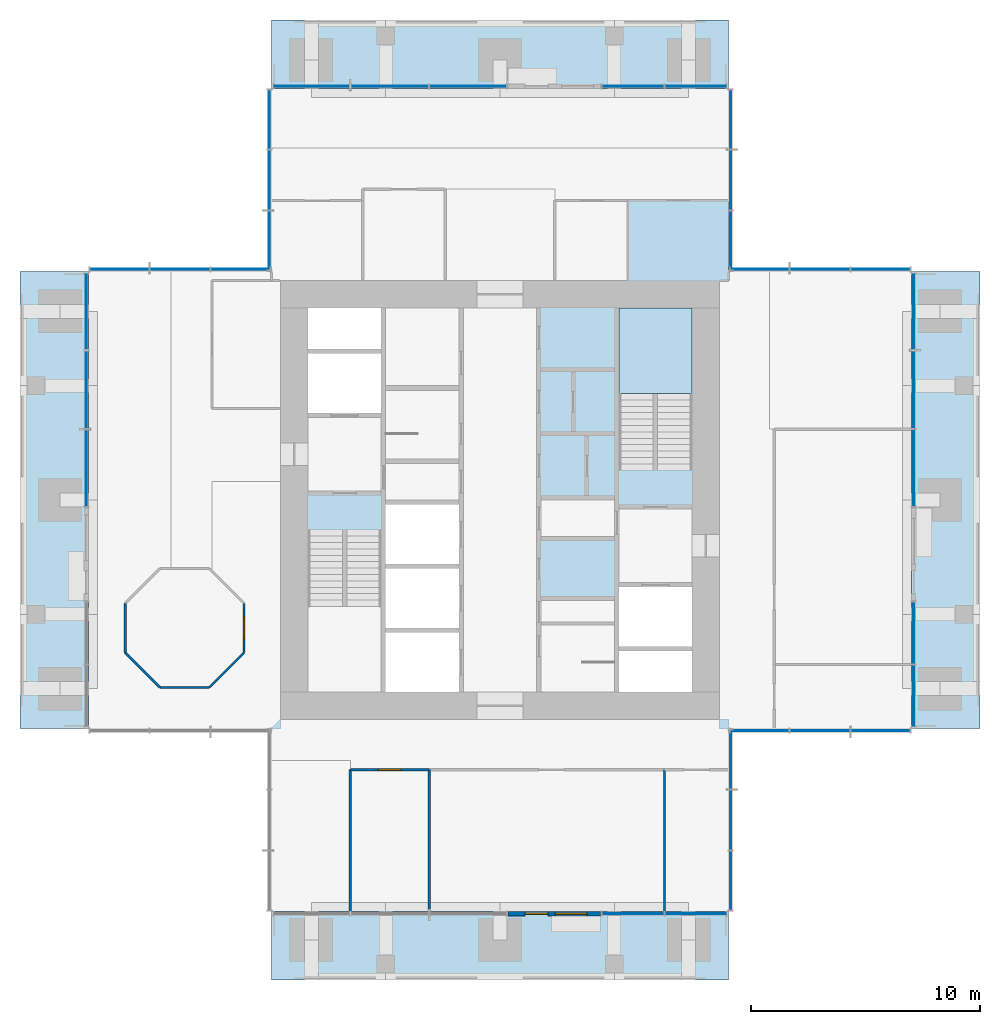
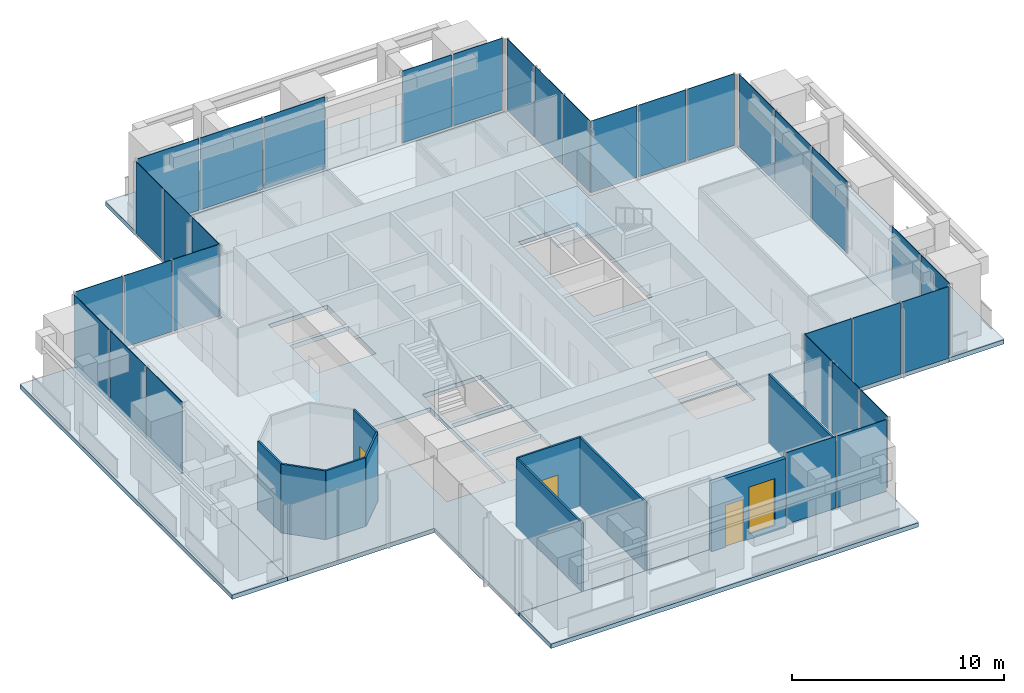
# One storey, part 6 of 12: 33 plates, 10 walls, 6 slabs, 3 doors, 1 window, 4 openings, 13 elements without a shape of their own.
"""IFC4 building model written with IfcOpenShell, lengths in metres."""

import ifcopenshell
import ifcopenshell.guid

model = None  # the IFC model being written
_history = None  # IfcOwnerHistory: only IFC2X3 demands one
_inside = {}  # id of a spatial element -> (the spatial element, [elements in it])
_under = {}  # id of a project, library or spatial element -> (it, [spatial elements below it])
_declared = {}  # id of a project -> (the project, [libraries it declares])
_typed = {}  # id of a type object -> (the type object, [elements of that type])
_made_of = {}  # id of a material, layer set ... -> (it, [elements and type objects made of it])


def new_model(schema):
    """Start an empty IFC model of exactly this schema.

    Asked for "IFC4X3", IfcOpenShell would pick the latest addendum, in which some entities
    have other attributes; the version numbers below select the first issue.
    IFC2X3 requires an IfcOwnerHistory on every rooted entity: one is made here for all.
    """
    global model, _history
    if schema == "IFC4X3":
        model = ifcopenshell.file(schema_version=(4, 3, 0, 0))
    else:
        model = ifcopenshell.file(schema=schema)
    _inside.clear()
    _under.clear()
    _declared.clear()
    _typed.clear()
    _made_of.clear()
    _history = None
    if model.schema == "IFC2X3":
        org = make("IfcOrganization", Name="unknown")
        user = make(
            "IfcPersonAndOrganization",
            ThePerson=make("IfcPerson", FamilyName="unknown"),
            TheOrganization=org,
        )
        app = make(
            "IfcApplication",
            ApplicationDeveloper=org,
            Version="unknown",
            ApplicationFullName="unknown",
            ApplicationIdentifier="unknown",
        )
        _history = make(
            "IfcOwnerHistory",
            OwningUser=user,
            OwningApplication=app,
            ChangeAction="ADDED",
            CreationDate=0,
        )
    return model


def make(cls, **values):
    """One entity of the class cls with the attributes given. An attribute that is None is left unset."""
    return model.create_entity(
        cls, **{name: value for name, value in values.items() if value is not None}
    )


def rooted(cls, **values):
    """An entity with a GlobalId (a new one), such as an element, a storey or a relation."""
    return make(cls, GlobalId=ifcopenshell.guid.new(), OwnerHistory=_history, **values)


def si_unit(unit_type, name, prefix=None):
    """IfcSIUnit, for example si_unit("LENGTHUNIT", "METRE", prefix="MILLI")."""
    return make("IfcSIUnit", UnitType=unit_type, Prefix=prefix, Name=name)


def assignment(units):
    """IfcUnitAssignment: the units of a project."""
    return None if units is None else make("IfcUnitAssignment", Units=units)


def point(xyz):
    """IfcCartesianPoint."""
    return None if xyz is None else make("IfcCartesianPoint", Coordinates=xyz)


def direction(xyz):
    """IfcDirection."""
    return None if xyz is None else make("IfcDirection", DirectionRatios=xyz)


def frame(location, z_axis=None, x_axis=None):
    """IfcAxis2Placement3D, a coordinate frame: its origin and axes. An axis left out is left unset."""
    return make(
        "IfcAxis2Placement3D",
        Location=point(location),
        Axis=direction(z_axis),
        RefDirection=direction(x_axis),
    )


def frame_2d(location, x_axis=None):
    """IfcAxis2Placement2D, a coordinate frame in the plane: its origin and x axis."""
    return make(
        "IfcAxis2Placement2D", Location=point(location), RefDirection=direction(x_axis)
    )


def origin():
    """The frame at (0, 0, 0) with its axes left unset."""
    return frame((0.0, 0.0, 0.0))


def origin_2d():
    """The frame at (0, 0) in the plane with its x axis left unset."""
    return frame_2d((0.0, 0.0))


def place(relative_to, where):
    """IfcLocalPlacement: puts the frame where relative to a parent placement (None: the world)."""
    return make(
        "IfcLocalPlacement", PlacementRelTo=relative_to, RelativePlacement=where
    )


def context(
    kind, dimensions, precision=None, world=None, true_north=None, identifier=None
):
    """IfcGeometricRepresentationContext, for example the 3D "Model" context."""
    return make(
        "IfcGeometricRepresentationContext",
        ContextIdentifier=identifier,
        ContextType=kind,
        CoordinateSpaceDimension=dimensions,
        Precision=precision,
        WorldCoordinateSystem=world,
        TrueNorth=true_north,
    )


def subcontext(parent, identifier, kind, view, scale=None):
    """IfcGeometricRepresentationSubContext, for example "Body" below "Model"."""
    return make(
        "IfcGeometricRepresentationSubContext",
        ContextIdentifier=identifier,
        ContextType=kind,
        ParentContext=parent,
        TargetScale=scale,
        TargetView=view,
    )


def project(units=None, contexts=None):
    """IfcProject with its units and contexts."""
    return rooted(
        "IfcProject",
        Name="project",
        RepresentationContexts=contexts,
        UnitsInContext=assignment(units),
    )


def spatial(cls, under=None, at=None, **own):
    """A site, building, storey or space (cls), placed at a placement, below another one or the project."""
    s = rooted(cls, ObjectPlacement=at, **own)
    if under is not None:
        _under.setdefault(under.id(), (under, []))[1].append(s)
    return s


def polyline(points):
    """IfcPolyline through the points."""
    return make("IfcPolyline", Points=[point(p) for p in points])


def profile(cls, at=None, kind="AREA", **sizes):
    """A parametric profile (cls). Its sizes go by their IFC names, for example OverallWidth=200.0."""
    return make(cls, ProfileType=kind, Position=at, **sizes)


def rectangle(**sizes):
    """IfcRectangleProfileDef."""
    return profile("IfcRectangleProfileDef", **sizes)


def outline(outer, holes=None, kind="AREA"):
    """IfcArbitraryClosedProfileDef: a profile drawn as a closed curve; with holes, ...WithVoids."""
    if holes is None:
        return make("IfcArbitraryClosedProfileDef", ProfileType=kind, OuterCurve=outer)
    return make(
        "IfcArbitraryProfileDefWithVoids",
        ProfileType=kind,
        OuterCurve=outer,
        InnerCurves=holes,
    )


def extrude(swept, where, along, depth):
    """IfcExtrudedAreaSolid: the profile swept, set in the frame where, extruded along a direction by depth."""
    return make(
        "IfcExtrudedAreaSolid",
        SweptArea=swept,
        Position=where,
        ExtrudedDirection=direction(along),
        Depth=depth,
    )


def shape(context_of_items, identifier, shape_type, items):
    """IfcShapeRepresentation: the items that make up one representation, for example the "Body"."""
    return make(
        "IfcShapeRepresentation",
        ContextOfItems=context_of_items,
        RepresentationIdentifier=identifier,
        RepresentationType=shape_type,
        Items=items,
    )


def material(Name=None, Category=None):
    """IfcMaterial."""
    return make("IfcMaterial", Name=Name, Category=Category)


def layer(
    of_material, thickness, ventilated=None, Name=None, Category=None, Priority=None
):
    """IfcMaterialLayer: one layer of a wall or slab, of a material (None: an air gap)."""
    return make(
        "IfcMaterialLayer",
        Material=of_material,
        LayerThickness=thickness,
        IsVentilated=ventilated,
        Name=Name,
        Category=Category,
        Priority=Priority,
    )


def layer_set(layers, Name=None):
    """IfcMaterialLayerSet."""
    return make("IfcMaterialLayerSet", MaterialLayers=layers, LayerSetName=Name)


def made_of(thing, what):
    """Note that an element or type object is made of a material, layer set ...; save() writes the relation."""
    if what is not None:
        _made_of.setdefault(what.id(), (what, []))[1].append(thing)
    return thing


def type_object(cls, material=None, **own):
    """A type object (cls), such as IfcWallType, which elements share."""
    return made_of(rooted(cls, **own), material)


def element(
    cls,
    number,
    at=None,
    inside=None,
    cuts=None,
    type_object=None,
    material=None,
    context=None,
    identifier="Body",
    shape_type=None,
    held_by="IfcProductDefinitionShape",
    body=None,
    shapes=None,
    **own,
):
    """One element of the class cls, such as IfcWall. Its Tag is "e" and its number.

    at: its placement. inside: the storey or other place that contains it. cuts: it is an
    opening in that element (IfcRelVoidsElement). A single representation is given by context,
    identifier, shape_type and body (its items); several are given by shapes. held_by: the class
    of the entity that holds the representations. save() writes the other relations.
    """
    e = rooted(cls, Tag="e%d" % number, ObjectPlacement=at, **own)
    if body is not None:
        shapes = [shape(context, identifier, shape_type, body)]
    if shapes is not None:
        e.Representation = make(held_by, Representations=shapes)
    if inside is not None:
        _inside.setdefault(inside.id(), (inside, []))[1].append(e)
    if cuts is not None:
        rooted(
            "IfcRelVoidsElement", RelatingBuildingElement=cuts, RelatedOpeningElement=e
        )
    if type_object is not None:
        _typed.setdefault(type_object.id(), (type_object, []))[1].append(e)
    return made_of(e, material)


def fill(opening, filler):
    """IfcRelFillsElement: the door or window that sits in an opening."""
    return rooted(
        "IfcRelFillsElement",
        RelatingOpeningElement=opening,
        RelatedBuildingElement=filler,
    )


def aggregate(whole, parts):
    """IfcRelAggregates: a whole, such as a stair, and the parts it consists of."""
    return rooted("IfcRelAggregates", RelatingObject=whole, RelatedObjects=parts)


def save(model, path):
    """Write the relations noted so far, then the file.

    IfcRelAggregates (storeys below a building ...), IfcRelContainedInSpatialStructure (elements
    in a storey), IfcRelDefinesByType, IfcRelAssociatesMaterial and IfcRelDeclares: one each for
    every whole, place, type object, material and project.
    """
    for whole, parts in _under.values():
        aggregate(whole, parts)
    for where, things in _inside.values():
        rooted(
            "IfcRelContainedInSpatialStructure",
            RelatedElements=things,
            RelatingStructure=where,
        )
    for kind, things in _typed.values():
        rooted("IfcRelDefinesByType", RelatedObjects=things, RelatingType=kind)
    for what, things in _made_of.values():
        rooted("IfcRelAssociatesMaterial", RelatedObjects=things, RelatingMaterial=what)
    for by, libraries in _declared.values():
        rooted("IfcRelDeclares", RelatingContext=by, RelatedDefinitions=libraries)
    model.write(path)


model = new_model("IFC4")

# Units and contexts
model_context = context("Model", 3, precision=1e-05, world=origin(), true_north=direction((0.0, 1.0)))
body_context = subcontext(model_context, "Body", "Model", "MODEL_VIEW")
ifc_project = project(units=[si_unit("LENGTHUNIT", "METRE"), si_unit("AREAUNIT", "SQUARE_METRE"), si_unit("VOLUMEUNIT", "CUBIC_METRE"), si_unit("PLANEANGLEUNIT", "RADIAN"), si_unit("MASSUNIT", "GRAM", prefix="KILO")], contexts=[model_context])

# Site, building, storey
site_placement = place(None, origin())
site = spatial("IfcSite", under=ifc_project, at=site_placement, CompositionType="ELEMENT")
building_placement = place(site_placement, origin())
building = spatial("IfcBuilding", under=site, at=building_placement, Name="Svetlomir Tower", CompositionType="ELEMENT")
storey_placement = place(building_placement, frame((0.0, 0.0, 269.199951171875)))
storey = spatial("IfcBuildingStorey", under=building, at=storey_placement, Name="L64", CompositionType="ELEMENT", Elevation=269.199951171875)

# Curtain wall, plates
ifc_material_1 = material(Name="Bronze anodised aluminium curtain wall", Category="aluminium")
curtain_wall_type = type_object("IfcCurtainWallType", Name="CURTAIN WALL CW4 EXECUTIVE", PredefinedType="NOTDEFINED", material=ifc_material_1)
curtain_wall_1_placement = place(storey_placement, origin())
curtain_wall_1 = element("IfcCurtainWall", 1, at=curtain_wall_1_placement, inside=storey, type_object=curtain_wall_type, Name="Curtain wall CW4 L64", PredefinedType="NOTDEFINED")
ifc_material_2 = material(Name="Tinted double glazed unit", Category="glass")
ifc_layer_1 = layer(ifc_material_2, 0.035888671875)
ifc_layer_set_1 = layer_set([ifc_layer_1], Name="Tinted double glazed unit")
plate_type = type_object("IfcPlateType", Name="CW4 GLAZED PANEL 36", PredefinedType="CURTAIN_PANEL", material=ifc_layer_set_1)
plate_1_placement = place(storey_placement, frame((26.81884765625, 2.89990234375, 0.074951171875), z_axis=(0.0, 0.0, 1.0), x_axis=(1.0, 0.0, 0.0)))
plate_1 = element("IfcPlate", 2, at=plate_1_placement, type_object=plate_type, Name="CW4 panel 1.1", PredefinedType="CURTAIN_PANEL", context=body_context, shape_type="SweptSolid", body=[
    extrude(rectangle(XDim=2.6875, YDim=0.035888671875, at=origin_2d()), origin(), (0.0, 0.0, 1.0), 4.125),
])
plate_2_placement = place(storey_placement, frame((29.581298828125, 2.89990234375, 0.074951171875), z_axis=(0.0, 0.0, 1.0), x_axis=(1.0, 0.0, 0.0)))
plate_2 = element("IfcPlate", 3, at=plate_2_placement, type_object=plate_type, Name="CW4 panel 2.1", PredefinedType="CURTAIN_PANEL", context=body_context, shape_type="SweptSolid", body=[
    extrude(rectangle(XDim=2.6875, YDim=0.035888671875, at=origin_2d()), origin(), (0.0, 0.0, 1.0), 4.125),
])
aggregate(curtain_wall_1, [plate_1, plate_2])

curtain_wall_2_placement = place(storey_placement, origin())
curtain_wall_2 = element("IfcCurtainWall", 4, at=curtain_wall_2_placement, inside=storey, type_object=curtain_wall_type, Name="Curtain wall CW4 L64", PredefinedType="NOTDEFINED")
plate_3_placement = place(storey_placement, frame((31.10009765625, 4.35205078125, 0.074951171875), z_axis=(0.0, 0.0, 1.0), x_axis=(0.0, 1.0, 0.0)))
plate_3 = element("IfcPlate", 5, at=plate_3_placement, type_object=plate_type, Name="CW4 panel 1.1", PredefinedType="CURTAIN_PANEL", context=body_context, shape_type="SweptSolid", body=[
    extrude(rectangle(XDim=2.55419921875, YDim=0.035888671875, at=origin_2d()), origin(), (0.0, 0.0, 1.0), 4.125),
])
plate_4_placement = place(storey_placement, frame((31.10009765625, 7.0, 0.074951171875), z_axis=(0.0, 0.0, 1.0), x_axis=(0.0, 1.0, 0.0)))
plate_4 = element("IfcPlate", 6, at=plate_4_placement, type_object=plate_type, Name="CW4 panel 2.1", PredefinedType="CURTAIN_PANEL", context=body_context, shape_type="SweptSolid", body=[
    extrude(rectangle(XDim=2.591552734375, YDim=0.035888671875, at=origin_2d()), origin(), (0.0, 0.0, 1.0), 4.125),
])
plate_5_placement = place(storey_placement, frame((31.10009765625, 9.64794921875, 0.074951171875), z_axis=(0.0, 0.0, 1.0), x_axis=(0.0, 1.0, 0.0)))
plate_5 = element("IfcPlate", 7, at=plate_5_placement, type_object=plate_type, Name="CW4 panel 3.1", PredefinedType="CURTAIN_PANEL", context=body_context, shape_type="SweptSolid", body=[
    extrude(rectangle(XDim=2.55419921875, YDim=0.035888671875, at=origin_2d()), origin(), (0.0, 0.0, 1.0), 4.125),
])
aggregate(curtain_wall_2, [plate_3, plate_4, plate_5])

curtain_wall_3_placement = place(storey_placement, origin())
curtain_wall_3 = element("IfcCurtainWall", 8, at=curtain_wall_3_placement, inside=storey, type_object=curtain_wall_type, Name="Curtain wall CW4 L64", PredefinedType="NOTDEFINED")
plate_6_placement = place(storey_placement, frame((32.35205078125, 10.89990234375, 0.074951171875), z_axis=(0.0, 0.0, 1.0), x_axis=(1.0, 0.0, 0.0)))
plate_6 = element("IfcPlate", 9, at=plate_6_placement, type_object=plate_type, Name="CW4 panel 1.1", PredefinedType="CURTAIN_PANEL", context=body_context, shape_type="SweptSolid", body=[
    extrude(rectangle(XDim=2.55419921875, YDim=0.035888671875, at=origin_2d()), origin(), (0.0, 0.0, 1.0), 4.125),
])
plate_7_placement = place(storey_placement, frame((35.0, 10.89990234375, 0.074951171875), z_axis=(0.0, 0.0, 1.0), x_axis=(1.0, 0.0, 0.0)))
plate_7 = element("IfcPlate", 10, at=plate_7_placement, type_object=plate_type, Name="CW4 panel 2.1", PredefinedType="CURTAIN_PANEL", context=body_context, shape_type="SweptSolid", body=[
    extrude(rectangle(XDim=2.591552734375, YDim=0.035888671875, at=origin_2d()), origin(), (0.0, 0.0, 1.0), 4.125),
])
plate_8_placement = place(storey_placement, frame((37.64794921875, 10.89990234375, 0.074951171875), z_axis=(0.0, 0.0, 1.0), x_axis=(1.0, 0.0, 0.0)))
plate_8 = element("IfcPlate", 11, at=plate_8_placement, type_object=plate_type, Name="CW4 panel 3.1", PredefinedType="CURTAIN_PANEL", context=body_context, shape_type="SweptSolid", body=[
    extrude(rectangle(XDim=2.55419921875, YDim=0.035888671875, at=origin_2d()), origin(), (0.0, 0.0, 1.0), 4.125),
])
aggregate(curtain_wall_3, [plate_6, plate_7, plate_8])

curtain_wall_4_placement = place(storey_placement, origin())
curtain_wall_4 = element("IfcCurtainWall", 12, at=curtain_wall_4_placement, inside=storey, type_object=curtain_wall_type, Name="Curtain wall CW4 L64", PredefinedType="NOTDEFINED")
plate_9_placement = place(storey_placement, frame((39.10009765625, 12.418701171875, 0.074951171875), z_axis=(0.0, 0.0, 1.0), x_axis=(0.0, 1.0, 0.0)))
plate_9 = element("IfcPlate", 13, at=plate_9_placement, type_object=plate_type, Name="CW4 panel 1.1", PredefinedType="CURTAIN_PANEL", context=body_context, shape_type="SweptSolid", body=[
    extrude(rectangle(XDim=2.6875, YDim=0.035888671875, at=origin_2d()), origin(), (0.0, 0.0, 1.0), 4.125),
])
plate_10_placement = place(storey_placement, frame((39.10009765625, 15.18115234375, 0.074951171875), z_axis=(0.0, 0.0, 1.0), x_axis=(0.0, 1.0, 0.0)))
plate_10 = element("IfcPlate", 14, at=plate_10_placement, type_object=plate_type, Name="CW4 panel 2.1", PredefinedType="CURTAIN_PANEL", context=body_context, shape_type="SweptSolid", body=[
    extrude(rectangle(XDim=2.6875, YDim=0.035888671875, at=origin_2d()), origin(), (0.0, 0.0, 1.0), 4.125),
])
aggregate(curtain_wall_4, [plate_9, plate_10])

curtain_wall_5_placement = place(storey_placement, origin())
curtain_wall_5 = element("IfcCurtainWall", 15, at=curtain_wall_5_placement, inside=storey, type_object=curtain_wall_type, Name="Curtain wall CW4 L64", PredefinedType="NOTDEFINED")
plate_11_placement = place(storey_placement, frame((39.10009765625, 22.393798828125, 0.074951171875), z_axis=(0.0, 0.0, 1.0), x_axis=(0.0, 1.0, 0.0)))
plate_11 = element("IfcPlate", 16, at=plate_11_placement, type_object=plate_type, Name="CW4 panel 1.1", PredefinedType="CURTAIN_PANEL", context=body_context, shape_type="SweptSolid", body=[
    extrude(rectangle(XDim=3.33740234375, YDim=0.035888671875, at=origin_2d()), origin(), (0.0, 0.0, 1.0), 4.125),
])
plate_12_placement = place(storey_placement, frame((39.10009765625, 25.824951171875, 0.074951171875), z_axis=(0.0, 0.0, 1.0), x_axis=(0.0, 1.0, 0.0)))
plate_12 = element("IfcPlate", 17, at=plate_12_placement, type_object=plate_type, Name="CW4 panel 2.1", PredefinedType="CURTAIN_PANEL", context=body_context, shape_type="SweptSolid", body=[
    extrude(rectangle(XDim=3.375, YDim=0.035888671875, at=origin_2d()), origin(), (0.0, 0.0, 1.0), 4.125),
])
plate_13_placement = place(storey_placement, frame((39.10009765625, 29.25634765625, 0.074951171875), z_axis=(0.0, 0.0, 1.0), x_axis=(0.0, 1.0, 0.0)))
plate_13 = element("IfcPlate", 18, at=plate_13_placement, type_object=plate_type, Name="CW4 panel 3.1", PredefinedType="CURTAIN_PANEL", context=body_context, shape_type="SweptSolid", body=[
    extrude(rectangle(XDim=3.33740234375, YDim=0.035888671875, at=origin_2d()), origin(), (0.0, 0.0, 1.0), 4.125),
])
aggregate(curtain_wall_5, [plate_11, plate_12, plate_13])

curtain_wall_6_placement = place(storey_placement, origin())
curtain_wall_6 = element("IfcCurtainWall", 19, at=curtain_wall_6_placement, inside=storey, type_object=curtain_wall_type, Name="Curtain wall CW4 L64", PredefinedType="NOTDEFINED")
plate_14_placement = place(storey_placement, frame((37.64794921875, 31.10009765625, 0.074951171875), z_axis=(0.0, 0.0, 1.0), x_axis=(-1.0, 0.0, 0.0)))
plate_14 = element("IfcPlate", 20, at=plate_14_placement, type_object=plate_type, Name="CW4 panel 1.1", PredefinedType="CURTAIN_PANEL", context=body_context, shape_type="SweptSolid", body=[
    extrude(rectangle(XDim=2.55419921875, YDim=0.035888671875, at=origin_2d()), origin(), (0.0, 0.0, 1.0), 4.125),
])
plate_15_placement = place(storey_placement, frame((35.0, 31.10009765625, 0.074951171875), z_axis=(0.0, 0.0, 1.0), x_axis=(-1.0, 0.0, 0.0)))
plate_15 = element("IfcPlate", 21, at=plate_15_placement, type_object=plate_type, Name="CW4 panel 2.1", PredefinedType="CURTAIN_PANEL", context=body_context, shape_type="SweptSolid", body=[
    extrude(rectangle(XDim=2.591552734375, YDim=0.035888671875, at=origin_2d()), origin(), (0.0, 0.0, 1.0), 4.125),
])
plate_16_placement = place(storey_placement, frame((32.35205078125, 31.10009765625, 0.074951171875), z_axis=(0.0, 0.0, 1.0), x_axis=(-1.0, 0.0, 0.0)))
plate_16 = element("IfcPlate", 22, at=plate_16_placement, type_object=plate_type, Name="CW4 panel 3.1", PredefinedType="CURTAIN_PANEL", context=body_context, shape_type="SweptSolid", body=[
    extrude(rectangle(XDim=2.55419921875, YDim=0.035888671875, at=origin_2d()), origin(), (0.0, 0.0, 1.0), 4.125),
])
aggregate(curtain_wall_6, [plate_14, plate_15, plate_16])

curtain_wall_7_placement = place(storey_placement, origin())
curtain_wall_7 = element("IfcCurtainWall", 23, at=curtain_wall_7_placement, inside=storey, type_object=curtain_wall_type, Name="Curtain wall CW4 L64", PredefinedType="NOTDEFINED")
plate_17_placement = place(storey_placement, frame((31.10009765625, 32.35205078125, 0.074951171875), z_axis=(0.0, 0.0, 1.0), x_axis=(0.0, 1.0, 0.0)))
plate_17 = element("IfcPlate", 24, at=plate_17_placement, type_object=plate_type, Name="CW4 panel 1.1", PredefinedType="CURTAIN_PANEL", context=body_context, shape_type="SweptSolid", body=[
    extrude(rectangle(XDim=2.55419921875, YDim=0.035888671875, at=origin_2d()), origin(), (0.0, 0.0, 1.0), 4.125),
])
plate_18_placement = place(storey_placement, frame((31.10009765625, 35.0, 0.074951171875), z_axis=(0.0, 0.0, 1.0), x_axis=(0.0, 1.0, 0.0)))
plate_18 = element("IfcPlate", 25, at=plate_18_placement, type_object=plate_type, Name="CW4 panel 2.1", PredefinedType="CURTAIN_PANEL", context=body_context, shape_type="SweptSolid", body=[
    extrude(rectangle(XDim=2.591552734375, YDim=0.035888671875, at=origin_2d()), origin(), (0.0, 0.0, 1.0), 4.125),
])
plate_19_placement = place(storey_placement, frame((31.10009765625, 37.64794921875, 0.074951171875), z_axis=(0.0, 0.0, 1.0), x_axis=(0.0, 1.0, 0.0)))
plate_19 = element("IfcPlate", 26, at=plate_19_placement, type_object=plate_type, Name="CW4 panel 3.1", PredefinedType="CURTAIN_PANEL", context=body_context, shape_type="SweptSolid", body=[
    extrude(rectangle(XDim=2.55419921875, YDim=0.035888671875, at=origin_2d()), origin(), (0.0, 0.0, 1.0), 4.125),
])
aggregate(curtain_wall_7, [plate_17, plate_18, plate_19])

curtain_wall_8_placement = place(storey_placement, origin())
curtain_wall_8 = element("IfcCurtainWall", 27, at=curtain_wall_8_placement, inside=storey, type_object=curtain_wall_type, Name="Curtain wall CW4 L64", PredefinedType="NOTDEFINED")
plate_20_placement = place(storey_placement, frame((29.581298828125, 39.10009765625, 0.074951171875), z_axis=(0.0, 0.0, 1.0), x_axis=(-1.0, 0.0, 0.0)))
plate_20 = element("IfcPlate", 28, at=plate_20_placement, type_object=plate_type, Name="CW4 panel 1.1", PredefinedType="CURTAIN_PANEL", context=body_context, shape_type="SweptSolid", body=[
    extrude(rectangle(XDim=2.6875, YDim=0.035888671875, at=origin_2d()), origin(), (0.0, 0.0, 1.0), 4.125),
])
plate_21_placement = place(storey_placement, frame((26.81884765625, 39.10009765625, 0.074951171875), z_axis=(0.0, 0.0, 1.0), x_axis=(-1.0, 0.0, 0.0)))
plate_21 = element("IfcPlate", 29, at=plate_21_placement, type_object=plate_type, Name="CW4 panel 2.1", PredefinedType="CURTAIN_PANEL", context=body_context, shape_type="SweptSolid", body=[
    extrude(rectangle(XDim=2.6875, YDim=0.035888671875, at=origin_2d()), origin(), (0.0, 0.0, 1.0), 4.125),
])
aggregate(curtain_wall_8, [plate_20, plate_21])

curtain_wall_9_placement = place(storey_placement, origin())
curtain_wall_9 = element("IfcCurtainWall", 30, at=curtain_wall_9_placement, inside=storey, type_object=curtain_wall_type, Name="Curtain wall CW4 L64", PredefinedType="NOTDEFINED")
plate_22_placement = place(storey_placement, frame((19.606201171875, 39.10009765625, 0.074951171875), z_axis=(0.0, 0.0, 1.0), x_axis=(-1.0, 0.0, 0.0)))
plate_22 = element("IfcPlate", 31, at=plate_22_placement, type_object=plate_type, Name="CW4 panel 1.1", PredefinedType="CURTAIN_PANEL", context=body_context, shape_type="SweptSolid", body=[
    extrude(rectangle(XDim=3.33740234375, YDim=0.035888671875, at=origin_2d()), origin(), (0.0, 0.0, 1.0), 4.125),
])
plate_23_placement = place(storey_placement, frame((16.175048828125, 39.10009765625, 0.074951171875), z_axis=(0.0, 0.0, 1.0), x_axis=(-1.0, 0.0, 0.0)))
plate_23 = element("IfcPlate", 32, at=plate_23_placement, type_object=plate_type, Name="CW4 panel 2.1", PredefinedType="CURTAIN_PANEL", context=body_context, shape_type="SweptSolid", body=[
    extrude(rectangle(XDim=3.375, YDim=0.035888671875, at=origin_2d()), origin(), (0.0, 0.0, 1.0), 4.125),
])
plate_24_placement = place(storey_placement, frame((12.74365234375, 39.10009765625, 0.074951171875), z_axis=(0.0, 0.0, 1.0), x_axis=(-1.0, 0.0, 0.0)))
plate_24 = element("IfcPlate", 33, at=plate_24_placement, type_object=plate_type, Name="CW4 panel 3.1", PredefinedType="CURTAIN_PANEL", context=body_context, shape_type="SweptSolid", body=[
    extrude(rectangle(XDim=3.33740234375, YDim=0.035888671875, at=origin_2d()), origin(), (0.0, 0.0, 1.0), 4.125),
])
aggregate(curtain_wall_9, [plate_22, plate_23, plate_24])

curtain_wall_10_placement = place(storey_placement, origin())
curtain_wall_10 = element("IfcCurtainWall", 34, at=curtain_wall_10_placement, inside=storey, type_object=curtain_wall_type, Name="Curtain wall CW4 L64", PredefinedType="NOTDEFINED")
plate_25_placement = place(storey_placement, frame((10.89990234375, 37.64794921875, 0.074951171875), z_axis=(0.0, 0.0, 1.0), x_axis=(0.0, -1.0, 0.0)))
plate_25 = element("IfcPlate", 35, at=plate_25_placement, type_object=plate_type, Name="CW4 panel 1.1", PredefinedType="CURTAIN_PANEL", context=body_context, shape_type="SweptSolid", body=[
    extrude(rectangle(XDim=2.55419921875, YDim=0.035888671875, at=origin_2d()), origin(), (0.0, 0.0, 1.0), 4.125),
])
plate_26_placement = place(storey_placement, frame((10.89990234375, 35.0, 0.074951171875), z_axis=(0.0, 0.0, 1.0), x_axis=(0.0, -1.0, 0.0)))
plate_26 = element("IfcPlate", 36, at=plate_26_placement, type_object=plate_type, Name="CW4 panel 2.1", PredefinedType="CURTAIN_PANEL", context=body_context, shape_type="SweptSolid", body=[
    extrude(rectangle(XDim=2.591552734375, YDim=0.035888671875, at=origin_2d()), origin(), (0.0, 0.0, 1.0), 4.125),
])
plate_27_placement = place(storey_placement, frame((10.89990234375, 32.35205078125, 0.074951171875), z_axis=(0.0, 0.0, 1.0), x_axis=(0.0, -1.0, 0.0)))
plate_27 = element("IfcPlate", 37, at=plate_27_placement, type_object=plate_type, Name="CW4 panel 3.1", PredefinedType="CURTAIN_PANEL", context=body_context, shape_type="SweptSolid", body=[
    extrude(rectangle(XDim=2.55419921875, YDim=0.035888671875, at=origin_2d()), origin(), (0.0, 0.0, 1.0), 4.125),
])
aggregate(curtain_wall_10, [plate_25, plate_26, plate_27])

curtain_wall_11_placement = place(storey_placement, origin())
curtain_wall_11 = element("IfcCurtainWall", 38, at=curtain_wall_11_placement, inside=storey, type_object=curtain_wall_type, Name="Curtain wall CW4 L64", PredefinedType="NOTDEFINED")
plate_28_placement = place(storey_placement, frame((9.64794921875, 31.10009765625, 0.074951171875), z_axis=(0.0, 0.0, 1.0), x_axis=(-1.0, 0.0, 0.0)))
plate_28 = element("IfcPlate", 39, at=plate_28_placement, type_object=plate_type, Name="CW4 panel 1.1", PredefinedType="CURTAIN_PANEL", context=body_context, shape_type="SweptSolid", body=[
    extrude(rectangle(XDim=2.55419921875, YDim=0.035888671875, at=origin_2d()), origin(), (0.0, 0.0, 1.0), 4.125),
])
plate_29_placement = place(storey_placement, frame((7.0, 31.10009765625, 0.074951171875), z_axis=(0.0, 0.0, 1.0), x_axis=(-1.0, 0.0, 0.0)))
plate_29 = element("IfcPlate", 40, at=plate_29_placement, type_object=plate_type, Name="CW4 panel 2.1", PredefinedType="CURTAIN_PANEL", context=body_context, shape_type="SweptSolid", body=[
    extrude(rectangle(XDim=2.591552734375, YDim=0.035888671875, at=origin_2d()), origin(), (0.0, 0.0, 1.0), 4.125),
])
plate_30_placement = place(storey_placement, frame((4.35205078125, 31.10009765625, 0.074951171875), z_axis=(0.0, 0.0, 1.0), x_axis=(-1.0, 0.0, 0.0)))
plate_30 = element("IfcPlate", 41, at=plate_30_placement, type_object=plate_type, Name="CW4 panel 3.1", PredefinedType="CURTAIN_PANEL", context=body_context, shape_type="SweptSolid", body=[
    extrude(rectangle(XDim=2.55419921875, YDim=0.035888671875, at=origin_2d()), origin(), (0.0, 0.0, 1.0), 4.125),
])
aggregate(curtain_wall_11, [plate_28, plate_29, plate_30])

curtain_wall_12_placement = place(storey_placement, origin())
curtain_wall_12 = element("IfcCurtainWall", 42, at=curtain_wall_12_placement, inside=storey, type_object=curtain_wall_type, Name="Curtain wall CW4 L64", PredefinedType="NOTDEFINED")
plate_31_placement = place(storey_placement, frame((2.89990234375, 29.25634765625, 0.074951171875), z_axis=(0.0, 0.0, 1.0), x_axis=(0.0, -1.0, 0.0)))
plate_31 = element("IfcPlate", 43, at=plate_31_placement, type_object=plate_type, Name="CW4 panel 1.1", PredefinedType="CURTAIN_PANEL", context=body_context, shape_type="SweptSolid", body=[
    extrude(rectangle(XDim=3.33740234375, YDim=0.035888671875, at=origin_2d()), origin(), (0.0, 0.0, 1.0), 4.125),
])
plate_32_placement = place(storey_placement, frame((2.89990234375, 25.824951171875, 0.074951171875), z_axis=(0.0, 0.0, 1.0), x_axis=(0.0, -1.0, 0.0)))
plate_32 = element("IfcPlate", 44, at=plate_32_placement, type_object=plate_type, Name="CW4 panel 2.1", PredefinedType="CURTAIN_PANEL", context=body_context, shape_type="SweptSolid", body=[
    extrude(rectangle(XDim=3.375, YDim=0.035888671875, at=origin_2d()), origin(), (0.0, 0.0, 1.0), 4.125),
])
plate_33_placement = place(storey_placement, frame((2.89990234375, 22.393798828125, 0.074951171875), z_axis=(0.0, 0.0, 1.0), x_axis=(0.0, -1.0, 0.0)))
plate_33 = element("IfcPlate", 45, at=plate_33_placement, type_object=plate_type, Name="CW4 panel 3.1", PredefinedType="CURTAIN_PANEL", context=body_context, shape_type="SweptSolid", body=[
    extrude(rectangle(XDim=3.33740234375, YDim=0.035888671875, at=origin_2d()), origin(), (0.0, 0.0, 1.0), 4.125),
])
aggregate(curtain_wall_12, [plate_31, plate_32, plate_33])

# Slabs
ifc_material_3 = material(Name="Concrete C60/75", Category="concrete")
ifc_layer_2 = layer(ifc_material_3, 0.25)
ifc_layer_set_2 = layer_set([ifc_layer_2], Name="Concrete C60/75")
slab_type_1 = type_object("IfcSlabType", Name="FLOOR SLAB 250", PredefinedType="FLOOR", material=ifc_layer_set_2)
slab_1_placement = place(storey_placement, frame((0.0, 0.0, -0.25)))
element("IfcSlab", 46, at=slab_1_placement, inside=storey, type_object=slab_type_1, Name="L64 floor slab", PredefinedType="FLOOR", context=body_context, shape_type="SweptSolid", body=[
    extrude(outline(polyline([(11.0, 3.0), (31.0, 3.0), (31.0, 11.0), (39.0, 11.0), (39.0, 31.0), (31.0, 31.0), (31.0, 39.0), (11.0, 39.0), (11.0, 31.0), (3.0, 31.0), (3.0, 11.0), (11.0, 11.0), (11.0, 3.0)]), holes=[polyline([(12.60009765625, 24.800048828125), (15.800048828125, 24.800048828125), (15.800048828125, 27.39990234375), (12.60009765625, 27.39990234375), (12.60009765625, 24.800048828125)]), polyline([(26.199951171875, 14.60009765625), (29.39990234375, 14.60009765625), (29.39990234375, 17.199951171875), (26.199951171875, 17.199951171875), (26.199951171875, 14.60009765625)]), polyline([(16.0, 12.60009765625), (19.199951171875, 12.60009765625), (19.199951171875, 15.199951171875), (16.0, 15.199951171875), (16.0, 12.60009765625)]), polyline([(16.0, 15.39990234375), (19.199951171875, 15.39990234375), (19.199951171875, 18.0), (16.0, 18.0), (16.0, 15.39990234375)]), polyline([(16.0, 18.199951171875), (19.199951171875, 18.199951171875), (19.199951171875, 20.800048828125), (16.0, 20.800048828125), (16.0, 18.199951171875)]), polyline([(12.60009765625, 27.60009765625), (15.800048828125, 27.60009765625), (15.800048828125, 29.39990234375), (12.60009765625, 29.39990234375), (12.60009765625, 27.60009765625)]), polyline([(26.199951171875, 12.60009765625), (29.39990234375, 12.60009765625), (29.39990234375, 14.39990234375), (26.199951171875, 14.39990234375), (26.199951171875, 12.60009765625)]), polyline([(12.60009765625, 12.60009765625), (15.800048828125, 12.60009765625), (15.800048828125, 19.679931640625), (12.60009765625, 19.679931640625), (12.60009765625, 12.60009765625)]), polyline([(26.199951171875, 22.320068359375), (29.39990234375, 22.320068359375), (29.39990234375, 29.39990234375), (26.199951171875, 29.39990234375), (26.199951171875, 22.320068359375)])]), origin(), (0.0, 0.0, 1.0), 0.25),
])
ifc_material_4 = material(Name="Concrete C60/75", Category="concrete")
ifc_layer_3 = layer(ifc_material_4, 0.25)
ifc_layer_set_3 = layer_set([ifc_layer_3], Name="Concrete C60/75")
slab_type_2 = type_object("IfcSlabType", Name="PLANTED LOGGIA SLAB 250", PredefinedType="FLOOR", material=ifc_layer_set_3)
slab_2_placement = place(storey_placement, frame((0.0, 0.0, -0.25)))
element("IfcSlab", 47, at=slab_2_placement, inside=storey, type_object=slab_type_2, Name="L64 S planted loggia", PredefinedType="FLOOR", context=body_context, shape_type="SweptSolid", body=[
    extrude(outline(polyline([(11.0, 0.0), (31.0, 0.0), (31.0, 3.0), (11.0, 3.0), (11.0, 0.0)])), origin(), (0.0, 0.0, 1.0), 0.25),
])
slab_3_placement = place(storey_placement, frame((0.0, 0.0, -0.25)))
element("IfcSlab", 48, at=slab_3_placement, inside=storey, type_object=slab_type_2, Name="L64 E planted loggia", PredefinedType="FLOOR", context=body_context, shape_type="SweptSolid", body=[
    extrude(outline(polyline([(39.0, 11.0), (42.0, 11.0), (42.0, 31.0), (39.0, 31.0), (39.0, 11.0)])), origin(), (0.0, 0.0, 1.0), 0.25),
])
slab_4_placement = place(storey_placement, frame((0.0, 0.0, -0.25)))
element("IfcSlab", 49, at=slab_4_placement, inside=storey, type_object=slab_type_2, Name="L64 N planted loggia", PredefinedType="FLOOR", context=body_context, shape_type="SweptSolid", body=[
    extrude(outline(polyline([(11.0, 39.0), (31.0, 39.0), (31.0, 42.0), (11.0, 42.0), (11.0, 39.0)])), origin(), (0.0, 0.0, 1.0), 0.25),
])
slab_5_placement = place(storey_placement, frame((0.0, 0.0, -0.25)))
element("IfcSlab", 50, at=slab_5_placement, inside=storey, type_object=slab_type_2, Name="L64 W planted loggia", PredefinedType="FLOOR", context=body_context, shape_type="SweptSolid", body=[
    extrude(outline(polyline([(0.0, 11.0), (3.0, 11.0), (3.0, 31.0), (0.0, 31.0), (0.0, 11.0)])), origin(), (0.0, 0.0, 1.0), 0.25),
])

# Stair, slab
ifc_material_5 = material(Name="Concrete C60/75", Category="concrete")
stair_type = type_object("IfcStairType", Name="EXIT STAIR 3200 RISE 4200", PredefinedType="HALF_TURN_STAIR", material=ifc_material_5)
stair_placement = place(storey_placement, origin())
stair = element("IfcStair", 51, at=stair_placement, inside=storey, type_object=stair_type, Name="Stair S2 L64 to L65", PredefinedType="HALF_TURN_STAIR")
ifc_material_6 = material(Name="Concrete C60/75", Category="concrete")
ifc_layer_4 = layer(ifc_material_6, 0.199951171875)
ifc_layer_set_4 = layer_set([ifc_layer_4], Name="Concrete C60/75")
slab_type_3 = type_object("IfcSlabType", Name="STAIR LANDING 200", PredefinedType="LANDING", material=ifc_layer_set_4)
slab_6_placement = place(storey_placement, frame((0.0, 0.0, 1.900146484375)))
slab_6 = element("IfcSlab", 52, at=slab_6_placement, type_object=slab_type_3, Name="S2 landing 1", PredefinedType="LANDING", context=body_context, shape_type="SweptSolid", body=[
    extrude(outline(polyline([(26.199951171875, 25.659912109375), (29.39990234375, 25.659912109375), (29.39990234375, 29.39990234375), (26.199951171875, 29.39990234375), (26.199951171875, 25.659912109375)])), origin(), (0.0, 0.0, 1.0), 0.199951171875),
])
aggregate(stair, [slab_6])

# Wall, openings, door, window
ifc_material_7 = material(Name="Bronze anodised aluminium glazed screen", Category="aluminium")
ifc_layer_5 = layer(ifc_material_7, 0.199951171875)
ifc_layer_set_5 = layer_set([ifc_layer_5], Name="Bronze anodised aluminium glazed screen")
wall_type_1 = type_object("IfcWallType", Name="BALCONY SCREEN WALL 200", PredefinedType="USERDEFINED", material=ifc_layer_set_5)
wall_1_placement = place(storey_placement, frame((21.35009765625, 2.89990234375, 0.0), z_axis=(0.0, 0.0, 1.0), x_axis=(1.0, 0.0, 0.0)))
wall_1 = element("IfcWall", 53, at=wall_1_placement, inside=storey, type_object=wall_type_1, Name="Balcony screen S", ObjectType="GLAZED SCREEN", PredefinedType="USERDEFINED", context=body_context, shape_type="SweptSolid", body=[
    extrude(rectangle(XDim=4.0498046875, YDim=0.199951171875, at=frame_2d((2.02490234375, 0.0))), origin(), (0.0, 0.0, 1.0), 3.949951171875),
])
opening_1_placement = place(wall_1_placement, frame((0.75, 0.0, 0.0)))
opening_1 = element("IfcOpeningElement", 54, at=opening_1_placement, cuts=wall_1, Name="Opening BD", PredefinedType="OPENING", context=body_context, shape_type="SweptSolid", body=[
    extrude(rectangle(XDim=1.0, YDim=2.39990234375, at=frame_2d((0.5, 1.199951171875))), frame((0.0, 0.10986328125, 0.0), z_axis=(0.0, -1.0, 0.0), x_axis=(1.0, 0.0, 0.0)), (0.0, 0.0, 1.0), 0.219970703125),
])
opening_2_placement = place(wall_1_placement, frame((2.050048828125, 0.0, 0.300048828125)))
opening_2 = element("IfcOpeningElement", 55, at=opening_2_placement, cuts=wall_1, Name="Opening WS2", PredefinedType="OPENING", context=body_context, shape_type="SweptSolid", body=[
    extrude(rectangle(XDim=1.39990234375, YDim=2.699951171875, at=frame_2d((0.699951171875, 1.35009765625))), frame((0.0, 0.10986328125, 0.0), z_axis=(0.0, -1.0, 0.0), x_axis=(1.0, 0.0, 0.0)), (0.0, 0.0, 1.0), 0.219970703125),
])
ifc_material_8 = material(Name="Bronze anodised aluminium glazed door", Category="aluminium")
door_type_1 = type_object("IfcDoorType", Name="BALCONY DOOR BD 1000x2400", OperationType="SINGLE_SWING_LEFT", PredefinedType="DOOR", material=ifc_material_8)
door_1_placement = place(opening_1_placement, origin())
door_1 = element("IfcDoor", 56, at=door_1_placement, inside=storey, type_object=door_type_1, Name="Balcony screen S door", OperationType="SINGLE_SWING_LEFT", OverallHeight=2.39990234375, OverallWidth=1.0, PredefinedType="DOOR", context=body_context, shape_type="SweptSolid", body=[
    extrude(rectangle(XDim=1.0, YDim=2.39990234375, at=frame_2d((0.5, 1.199951171875))), frame((0.0, 0.02490234375, 0.0), z_axis=(0.0, -1.0, 0.0), x_axis=(1.0, 0.0, 0.0)), (0.0, 0.0, 1.0), 0.050048828125),
])
fill(opening_1, door_1)
ifc_material_9 = material(Name="Bronze anodised aluminium window", Category="aluminium")
window_type = type_object("IfcWindowType", Name="SCREEN WINDOW WS2 1400x2700", PartitioningType="SINGLE_PANEL", PredefinedType="WINDOW", material=ifc_material_9)
window_placement = place(opening_2_placement, origin())
window = element("IfcWindow", 57, at=window_placement, inside=storey, type_object=window_type, Name="Balcony screen S window 1", OverallHeight=2.699951171875, OverallWidth=1.39990234375, PartitioningType="SINGLE_PANEL", PredefinedType="WINDOW", context=body_context, shape_type="SweptSolid", body=[
    extrude(rectangle(XDim=1.39990234375, YDim=2.699951171875, at=frame_2d((0.699951171875, 1.35009765625))), frame((0.0, 0.030029296875, 0.0), z_axis=(0.0, -1.0, 0.0), x_axis=(1.0, 0.0, 0.0)), (0.0, 0.0, 1.0), 0.06005859375),
])
fill(opening_2, window)

# Walls
ifc_material_10 = material(Name="Framed laminated glass partition", Category="glass")
ifc_layer_6 = layer(ifc_material_10, 0.10009765625)
ifc_layer_set_6 = layer_set([ifc_layer_6], Name="Framed laminated glass partition")
wall_type_2 = type_object("IfcWallType", Name="GLAZED PARTITION 100", PredefinedType="PARTITIONING", material=ifc_layer_set_6)
wall_2_placement = place(storey_placement, frame((4.60009765625, 14.322998046875, 0.0), z_axis=(0.0, 0.0, 1.0), x_axis=(0.0, 1.0, 0.0)))
element("IfcWall", 58, at=wall_2_placement, inside=storey, type_object=wall_type_2, Name="Glazed partition L64", PredefinedType="PARTITIONING", context=body_context, shape_type="SweptSolid", body=[
    extrude(rectangle(XDim=2.154052734375, YDim=0.10009765625, at=frame_2d((1.0771484375, 0.0))), origin(), (0.0, 0.0, 1.0), 3.949951171875),
])
wall_3_placement = place(storey_placement, frame((4.60009765625, 14.322998046875, 0.0), z_axis=(0.0, 0.0, 1.0), x_axis=(0.707106781187, -0.707106781187, 0.0)))
element("IfcWall", 59, at=wall_3_placement, inside=storey, type_object=wall_type_2, Name="Glazed partition L64", PredefinedType="PARTITIONING", context=body_context, shape_type="SweptSolid", body=[
    extrude(rectangle(XDim=2.15380859375, YDim=0.10009765625, at=frame_2d((1.076904296875, 0.0))), origin(), (0.0, 0.0, 1.0), 3.949951171875),
])
wall_4_placement = place(storey_placement, frame((6.123046875, 12.800048828125, 0.0), z_axis=(0.0, 0.0, 1.0), x_axis=(1.0, 0.0, 0.0)))
element("IfcWall", 60, at=wall_4_placement, inside=storey, type_object=wall_type_2, Name="Glazed partition L64", PredefinedType="PARTITIONING", context=body_context, shape_type="SweptSolid", body=[
    extrude(rectangle(XDim=2.154052734375, YDim=0.10009765625, at=frame_2d((1.0771484375, 0.0))), origin(), (0.0, 0.0, 1.0), 3.949951171875),
])
wall_5_placement = place(storey_placement, frame((8.277099609375, 12.800048828125, 0.0), z_axis=(0.0, 0.0, 1.0), x_axis=(0.707106781187, 0.707106781187, 0.0)))
element("IfcWall", 61, at=wall_5_placement, inside=storey, type_object=wall_type_2, Name="Glazed partition L64", PredefinedType="PARTITIONING", context=body_context, shape_type="SweptSolid", body=[
    extrude(rectangle(XDim=2.15380859375, YDim=0.10009765625, at=frame_2d((1.076904296875, 0.0))), origin(), (0.0, 0.0, 1.0), 3.949951171875),
])

# Wall, opening, door
wall_6_placement = place(storey_placement, frame((9.800048828125, 14.322998046875, 0.0), z_axis=(0.0, 0.0, 1.0), x_axis=(0.0, 1.0, 0.0)))
wall_6 = element("IfcWall", 62, at=wall_6_placement, inside=storey, type_object=wall_type_2, Name="Glazed partition L64", PredefinedType="PARTITIONING", context=body_context, shape_type="SweptSolid", body=[
    extrude(rectangle(XDim=2.154052734375, YDim=0.10009765625, at=frame_2d((1.0771484375, 0.0))), origin(), (0.0, 0.0, 1.0), 3.949951171875),
])
opening_3_placement = place(wall_6_placement, frame((0.576904296875, 0.0, 0.0)))
opening_3 = element("IfcOpeningElement", 63, at=opening_3_placement, cuts=wall_6, Name="Opening DR", PredefinedType="OPENING", context=body_context, shape_type="SweptSolid", body=[
    extrude(rectangle(XDim=1.0, YDim=2.199951171875, at=frame_2d((0.5, 1.10009765625))), frame((0.0, 0.06005859375, 0.0), z_axis=(0.0, -1.0, 0.0), x_axis=(1.0, 0.0, 0.0)), (0.0, 0.0, 1.0), 0.1201171875),
])
ifc_material_11 = material(Name="Timber door, glazed side light", Category="wood")
door_type_2 = type_object("IfcDoorType", Name="DOOR DR 1000x2200", OperationType="SINGLE_SWING_LEFT", PredefinedType="DOOR", material=ifc_material_11)
door_2_placement = place(opening_3_placement, origin())
door_2 = element("IfcDoor", 64, at=door_2_placement, inside=storey, type_object=door_type_2, Name="Strategy room, 8 seats door L64", OperationType="SINGLE_SWING_LEFT", OverallHeight=2.199951171875, OverallWidth=1.0, PredefinedType="DOOR", context=body_context, shape_type="SweptSolid", body=[
    extrude(rectangle(XDim=1.0, YDim=2.199951171875, at=frame_2d((0.5, 1.10009765625))), frame((0.0, 0.02490234375, 0.0), z_axis=(0.0, -1.0, 0.0), x_axis=(1.0, 0.0, 0.0)), (0.0, 0.0, 1.0), 0.050048828125),
])
fill(opening_3, door_2)

# Wall
wall_7_placement = place(storey_placement, frame((14.449951171875, 3.0, 0.0), z_axis=(0.0, 0.0, 1.0), x_axis=(0.0, 1.0, 0.0)))
element("IfcWall", 65, at=wall_7_placement, inside=storey, type_object=wall_type_2, Name="Partition L64", PredefinedType="PARTITIONING", context=body_context, shape_type="SweptSolid", body=[
    extrude(rectangle(XDim=6.199951171875, YDim=0.10009765625, at=frame_2d((3.10009765625, 0.0))), origin(), (0.0, 0.0, 1.0), 3.949951171875),
])

# Wall, opening, door
wall_8_placement = place(storey_placement, frame((14.449951171875, 9.199951171875, 0.0), z_axis=(0.0, 0.0, 1.0), x_axis=(1.0, 0.0, 0.0)))
wall_8 = element("IfcWall", 66, at=wall_8_placement, inside=storey, type_object=wall_type_2, Name="Partition L64", PredefinedType="PARTITIONING", context=body_context, shape_type="SweptSolid", body=[
    extrude(rectangle(XDim=3.449951171875, YDim=0.10009765625, at=frame_2d((1.72509765625, 0.0))), origin(), (0.0, 0.0, 1.0), 3.949951171875),
])
opening_4_placement = place(wall_8_placement, frame((1.22509765625, 0.0, 0.0)))
opening_4 = element("IfcOpeningElement", 67, at=opening_4_placement, cuts=wall_8, Name="Opening DR", PredefinedType="OPENING", context=body_context, shape_type="SweptSolid", body=[
    extrude(rectangle(XDim=1.0, YDim=2.199951171875, at=frame_2d((0.5, 1.10009765625))), frame((0.0, 0.06005859375, 0.0), z_axis=(0.0, -1.0, 0.0), x_axis=(1.0, 0.0, 0.0)), (0.0, 0.0, 1.0), 0.1201171875),
])
door_3_placement = place(opening_4_placement, origin())
door_3 = element("IfcDoor", 68, at=door_3_placement, inside=storey, type_object=door_type_2, Name="CEO's PA office door L64", OperationType="SINGLE_SWING_LEFT", OverallHeight=2.199951171875, OverallWidth=1.0, PredefinedType="DOOR", context=body_context, shape_type="SweptSolid", body=[
    extrude(rectangle(XDim=1.0, YDim=2.199951171875, at=frame_2d((0.5, 1.10009765625))), frame((0.0, 0.02490234375, 0.0), z_axis=(0.0, -1.0, 0.0), x_axis=(1.0, 0.0, 0.0)), (0.0, 0.0, 1.0), 0.050048828125),
])
fill(opening_4, door_3)

# Walls
for number, where, z_axis, x_axis, name in (
    (69, (17.89990234375, 3.0, 0.0), (0.0, 0.0, 1.0), (0.0, 1.0, 0.0), "Partition L64"),
    (70, (28.199951171875, 3.0, 0.0), (0.0, 0.0, 1.0), (0.0, 1.0, 0.0), "Partition L64"),
):
    element("IfcWall", number, at=place(storey_placement, frame(where, z_axis=z_axis, x_axis=x_axis)), inside=storey, type_object=wall_type_2, Name=name, PredefinedType="PARTITIONING", context=body_context, shape_type="SweptSolid", body=[
        extrude(rectangle(XDim=6.199951171875, YDim=0.10009765625, at=frame_2d((3.10009765625, 0.0))), origin(), (0.0, 0.0, 1.0), 3.949951171875),
    ])

save(model, "model.ifc")
